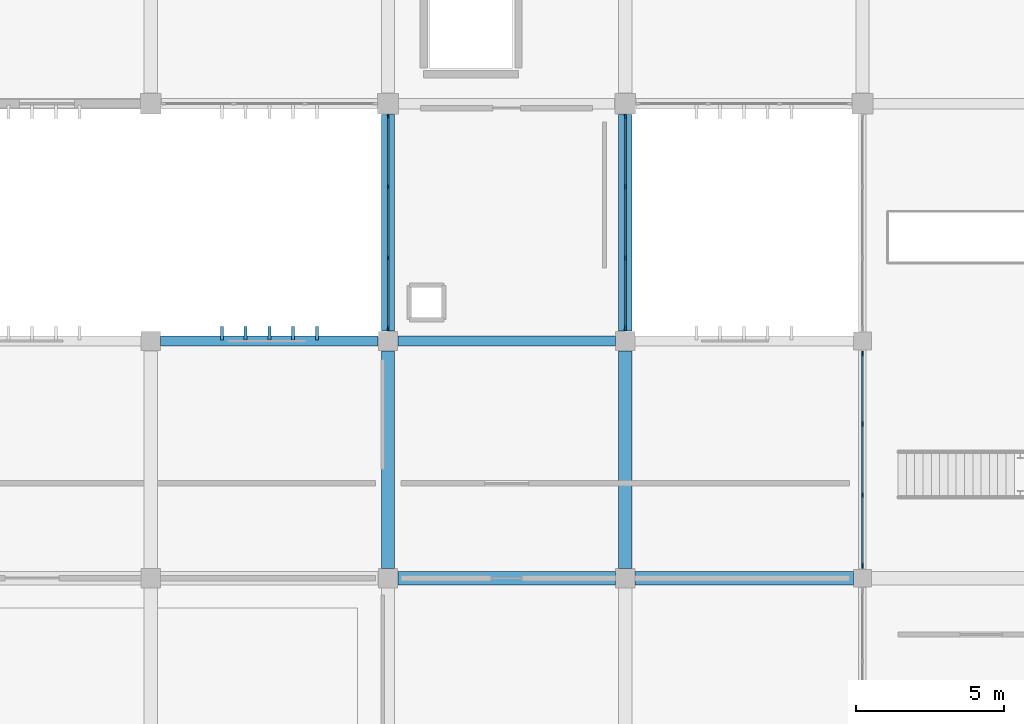
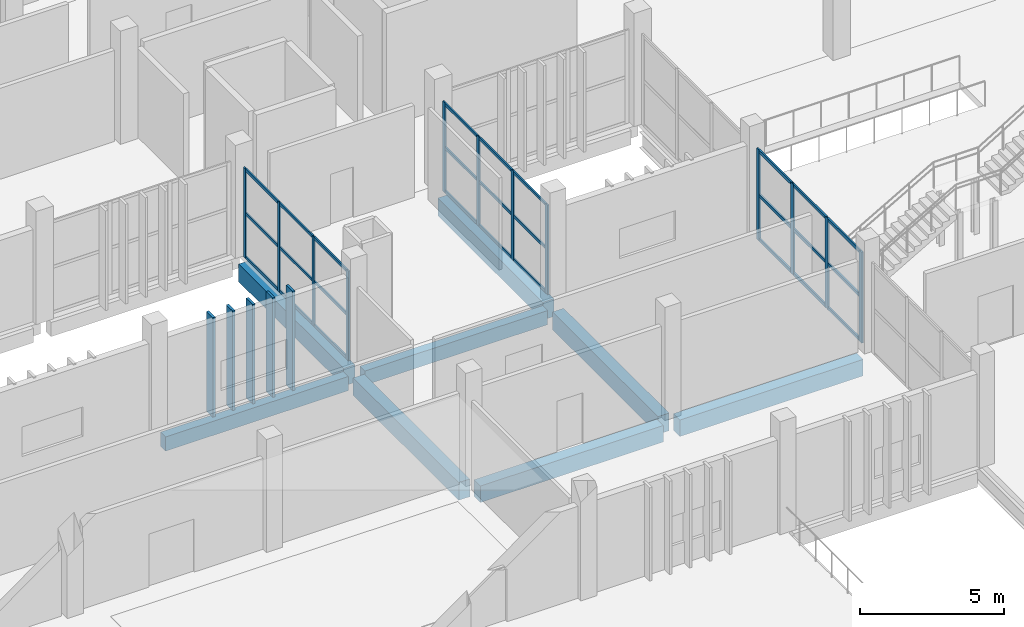
# One storey, part 49 of 106: 44 members, 8 beams, 3 elements without a shape of their own.
"""IFC4 building model written with IfcOpenShell, lengths in metres."""

import ifcopenshell
import ifcopenshell.guid

model = None  # the IFC model being written
_history = None  # IfcOwnerHistory: only IFC2X3 demands one
_inside = {}  # id of a spatial element -> (the spatial element, [elements in it])
_under = {}  # id of a project, library or spatial element -> (it, [spatial elements below it])
_declared = {}  # id of a project -> (the project, [libraries it declares])
_typed = {}  # id of a type object -> (the type object, [elements of that type])
_made_of = {}  # id of a material, layer set ... -> (it, [elements and type objects made of it])


def new_model(schema):
    """Start an empty IFC model of exactly this schema.

    Asked for "IFC4X3", IfcOpenShell would pick the latest addendum, in which some entities
    have other attributes; the version numbers below select the first issue.
    IFC2X3 requires an IfcOwnerHistory on every rooted entity: one is made here for all.
    """
    global model, _history
    if schema == "IFC4X3":
        model = ifcopenshell.file(schema_version=(4, 3, 0, 0))
    else:
        model = ifcopenshell.file(schema=schema)
    _inside.clear()
    _under.clear()
    _declared.clear()
    _typed.clear()
    _made_of.clear()
    _history = None
    if model.schema == "IFC2X3":
        org = make("IfcOrganization", Name="unknown")
        user = make(
            "IfcPersonAndOrganization",
            ThePerson=make("IfcPerson", FamilyName="unknown"),
            TheOrganization=org,
        )
        app = make(
            "IfcApplication",
            ApplicationDeveloper=org,
            Version="unknown",
            ApplicationFullName="unknown",
            ApplicationIdentifier="unknown",
        )
        _history = make(
            "IfcOwnerHistory",
            OwningUser=user,
            OwningApplication=app,
            ChangeAction="ADDED",
            CreationDate=0,
        )
    return model


def make(cls, **values):
    """One entity of the class cls with the attributes given. An attribute that is None is left unset."""
    return model.create_entity(
        cls, **{name: value for name, value in values.items() if value is not None}
    )


def rooted(cls, **values):
    """An entity with a GlobalId (a new one), such as an element, a storey or a relation."""
    return make(cls, GlobalId=ifcopenshell.guid.new(), OwnerHistory=_history, **values)


def si_unit(unit_type, name, prefix=None):
    """IfcSIUnit, for example si_unit("LENGTHUNIT", "METRE", prefix="MILLI")."""
    return make("IfcSIUnit", UnitType=unit_type, Prefix=prefix, Name=name)


def assignment(units):
    """IfcUnitAssignment: the units of a project."""
    return None if units is None else make("IfcUnitAssignment", Units=units)


def point(xyz):
    """IfcCartesianPoint."""
    return None if xyz is None else make("IfcCartesianPoint", Coordinates=xyz)


def direction(xyz):
    """IfcDirection."""
    return None if xyz is None else make("IfcDirection", DirectionRatios=xyz)


def frame(location, z_axis=None, x_axis=None):
    """IfcAxis2Placement3D, a coordinate frame: its origin and axes. An axis left out is left unset."""
    return make(
        "IfcAxis2Placement3D",
        Location=point(location),
        Axis=direction(z_axis),
        RefDirection=direction(x_axis),
    )


def frame_2d(location, x_axis=None):
    """IfcAxis2Placement2D, a coordinate frame in the plane: its origin and x axis."""
    return make(
        "IfcAxis2Placement2D", Location=point(location), RefDirection=direction(x_axis)
    )


def origin():
    """The frame at (0, 0, 0) with its axes left unset."""
    return frame((0.0, 0.0, 0.0))


def origin_2d():
    """The frame at (0, 0) in the plane with its x axis left unset."""
    return frame_2d((0.0, 0.0))


def place(relative_to, where):
    """IfcLocalPlacement: puts the frame where relative to a parent placement (None: the world)."""
    return make(
        "IfcLocalPlacement", PlacementRelTo=relative_to, RelativePlacement=where
    )


def context(
    kind, dimensions, precision=None, world=None, true_north=None, identifier=None
):
    """IfcGeometricRepresentationContext, for example the 3D "Model" context."""
    return make(
        "IfcGeometricRepresentationContext",
        ContextIdentifier=identifier,
        ContextType=kind,
        CoordinateSpaceDimension=dimensions,
        Precision=precision,
        WorldCoordinateSystem=world,
        TrueNorth=true_north,
    )


def subcontext(parent, identifier, kind, view, scale=None):
    """IfcGeometricRepresentationSubContext, for example "Body" below "Model"."""
    return make(
        "IfcGeometricRepresentationSubContext",
        ContextIdentifier=identifier,
        ContextType=kind,
        ParentContext=parent,
        TargetScale=scale,
        TargetView=view,
    )


def project(units=None, contexts=None):
    """IfcProject with its units and contexts."""
    return rooted(
        "IfcProject",
        Name="project",
        RepresentationContexts=contexts,
        UnitsInContext=assignment(units),
    )


def spatial(cls, under=None, at=None, **own):
    """A site, building, storey or space (cls), placed at a placement, below another one or the project."""
    s = rooted(cls, ObjectPlacement=at, **own)
    if under is not None:
        _under.setdefault(under.id(), (under, []))[1].append(s)
    return s


def profile(cls, at=None, kind="AREA", **sizes):
    """A parametric profile (cls). Its sizes go by their IFC names, for example OverallWidth=200.0."""
    return make(cls, ProfileType=kind, Position=at, **sizes)


def rectangle(**sizes):
    """IfcRectangleProfileDef."""
    return profile("IfcRectangleProfileDef", **sizes)


def extrude(swept, where, along, depth):
    """IfcExtrudedAreaSolid: the profile swept, set in the frame where, extruded along a direction by depth."""
    return make(
        "IfcExtrudedAreaSolid",
        SweptArea=swept,
        Position=where,
        ExtrudedDirection=direction(along),
        Depth=depth,
    )


def shape(context_of_items, identifier, shape_type, items):
    """IfcShapeRepresentation: the items that make up one representation, for example the "Body"."""
    return make(
        "IfcShapeRepresentation",
        ContextOfItems=context_of_items,
        RepresentationIdentifier=identifier,
        RepresentationType=shape_type,
        Items=items,
    )


def material(Name=None, Category=None):
    """IfcMaterial."""
    return make("IfcMaterial", Name=Name, Category=Category)


def layer(
    of_material, thickness, ventilated=None, Name=None, Category=None, Priority=None
):
    """IfcMaterialLayer: one layer of a wall or slab, of a material (None: an air gap)."""
    return make(
        "IfcMaterialLayer",
        Material=of_material,
        LayerThickness=thickness,
        IsVentilated=ventilated,
        Name=Name,
        Category=Category,
        Priority=Priority,
    )


def layer_set(layers, Name=None):
    """IfcMaterialLayerSet."""
    return make("IfcMaterialLayerSet", MaterialLayers=layers, LayerSetName=Name)


def material_profile(
    of_material, cross_section, Name=None, Category=None, Priority=None
):
    """IfcMaterialProfile: a cross section and its material."""
    return make(
        "IfcMaterialProfile",
        Name=Name,
        Material=of_material,
        Profile=cross_section,
        Priority=Priority,
        Category=Category,
    )


def profile_set(profiles, Name=None, composite=None):
    """IfcMaterialProfileSet."""
    return make(
        "IfcMaterialProfileSet",
        Name=Name,
        MaterialProfiles=profiles,
        CompositeProfile=composite,
    )


def made_of(thing, what):
    """Note that an element or type object is made of a material, layer set ...; save() writes the relation."""
    if what is not None:
        _made_of.setdefault(what.id(), (what, []))[1].append(thing)
    return thing


def type_object(cls, material=None, **own):
    """A type object (cls), such as IfcWallType, which elements share."""
    return made_of(rooted(cls, **own), material)


def element(
    cls,
    number,
    at=None,
    inside=None,
    cuts=None,
    type_object=None,
    material=None,
    context=None,
    identifier="Body",
    shape_type=None,
    held_by="IfcProductDefinitionShape",
    body=None,
    shapes=None,
    **own,
):
    """One element of the class cls, such as IfcWall. Its Tag is "e" and its number.

    at: its placement. inside: the storey or other place that contains it. cuts: it is an
    opening in that element (IfcRelVoidsElement). A single representation is given by context,
    identifier, shape_type and body (its items); several are given by shapes. held_by: the class
    of the entity that holds the representations. save() writes the other relations.
    """
    e = rooted(cls, Tag="e%d" % number, ObjectPlacement=at, **own)
    if body is not None:
        shapes = [shape(context, identifier, shape_type, body)]
    if shapes is not None:
        e.Representation = make(held_by, Representations=shapes)
    if inside is not None:
        _inside.setdefault(inside.id(), (inside, []))[1].append(e)
    if cuts is not None:
        rooted(
            "IfcRelVoidsElement", RelatingBuildingElement=cuts, RelatedOpeningElement=e
        )
    if type_object is not None:
        _typed.setdefault(type_object.id(), (type_object, []))[1].append(e)
    return made_of(e, material)


def aggregate(whole, parts):
    """IfcRelAggregates: a whole, such as a stair, and the parts it consists of."""
    return rooted("IfcRelAggregates", RelatingObject=whole, RelatedObjects=parts)


def save(model, path):
    """Write the relations noted so far, then the file.

    IfcRelAggregates (storeys below a building ...), IfcRelContainedInSpatialStructure (elements
    in a storey), IfcRelDefinesByType, IfcRelAssociatesMaterial and IfcRelDeclares: one each for
    every whole, place, type object, material and project.
    """
    for whole, parts in _under.values():
        aggregate(whole, parts)
    for where, things in _inside.values():
        rooted(
            "IfcRelContainedInSpatialStructure",
            RelatedElements=things,
            RelatingStructure=where,
        )
    for kind, things in _typed.values():
        rooted("IfcRelDefinesByType", RelatedObjects=things, RelatingType=kind)
    for what, things in _made_of.values():
        rooted("IfcRelAssociatesMaterial", RelatedObjects=things, RelatingMaterial=what)
    for by, libraries in _declared.values():
        rooted("IfcRelDeclares", RelatingContext=by, RelatedDefinitions=libraries)
    model.write(path)


model = new_model("IFC4")

# Units and contexts
model_context = context("Model", 3, precision=1e-05, world=origin(), true_north=direction((0.0, 1.0)))
body_context = subcontext(model_context, "Body", "Model", "MODEL_VIEW")
ifc_project = project(units=[si_unit("LENGTHUNIT", "METRE"), si_unit("AREAUNIT", "SQUARE_METRE"), si_unit("VOLUMEUNIT", "CUBIC_METRE"), si_unit("PLANEANGLEUNIT", "RADIAN"), si_unit("MASSUNIT", "GRAM", prefix="KILO")], contexts=[model_context])

# Site, building, storey
site_placement = place(None, origin())
site = spatial("IfcSite", under=ifc_project, at=site_placement, CompositionType="ELEMENT")
building_placement = place(site_placement, origin())
building = spatial("IfcBuilding", under=site, at=building_placement, Name="Jelvoka-Kovrelna Polytechnic", CompositionType="ELEMENT")
storey_placement = place(building_placement, frame((0.0, 0.0, 4.800048828125)))
storey = spatial("IfcBuildingStorey", under=building, at=storey_placement, Name="L02", CompositionType="ELEMENT", Elevation=4.800048828125)

# Beams
ifc_material_1 = material(Name="Concrete C40/50", Category="concrete")
ifc_material_profile_1 = material_profile(ifc_material_1, rectangle(XDim=0.449951171875, YDim=0.699951171875, at=origin_2d()), Name="RC 450x700")
ifc_profile_set_1 = profile_set([ifc_material_profile_1], Name="Concrete C40/50")
beam_type_1 = type_object("IfcBeamType", Name="Beam_RC_450x700", PredefinedType="BEAM", material=ifc_profile_set_1)
beam_1_placement = place(storey_placement, frame((144.330078125, 16.0, -0.614990234375), z_axis=(1.0, 0.0, 0.0), x_axis=(0.0, 1.0, 0.0)))
element("IfcBeam", 1, at=beam_1_placement, inside=storey, type_object=beam_type_1, Name="L02 beam 0660", PredefinedType="BEAM", context=body_context, shape_type="SweptSolid", body=[
    extrude(rectangle(XDim=0.449951171875, YDim=0.699951171875, at=origin_2d()), origin(), (0.0, 0.0, 1.0), 7.33984375),
])
beam_2_placement = place(storey_placement, frame((152.330078125, 16.0, -0.614990234375), z_axis=(1.0, 0.0, 0.0), x_axis=(0.0, 1.0, 0.0)))
element("IfcBeam", 2, at=beam_2_placement, inside=storey, type_object=beam_type_1, Name="L02 beam 0661", PredefinedType="BEAM", context=body_context, shape_type="SweptSolid", body=[
    extrude(rectangle(XDim=0.449951171875, YDim=0.699951171875, at=origin_2d()), origin(), (0.0, 0.0, 1.0), 7.364990234375),
])
ifc_material_2 = material(Name="Concrete C40/50", Category="concrete")
ifc_material_profile_2 = material_profile(ifc_material_2, rectangle(XDim=0.449951171875, YDim=0.75, at=origin_2d()), Name="RC 450x750")
ifc_profile_set_2 = profile_set([ifc_material_profile_2], Name="Concrete C40/50")
beam_type_2 = type_object("IfcBeamType", Name="Beam_RC_450x750", PredefinedType="BEAM", material=ifc_profile_set_2)
for number, where, z_axis, x_axis, name in (
    (3, (144.0, 16.330078125, -0.64013671875), (0.0, 1.0, 0.0), (-1.0, 0.0, 0.0), "L02 beam 0675"),
    (4, (152.0, 16.330078125, -0.64013671875), (0.0, 1.0, 0.0), (-1.0, 0.0, 0.0), "L02 beam 0677"),
):
    element("IfcBeam", number, at=place(storey_placement, frame(where, z_axis=z_axis, x_axis=x_axis)), inside=storey, type_object=beam_type_2, Name=name, PredefinedType="BEAM", context=body_context, shape_type="SweptSolid", body=[
        extrude(rectangle(XDim=0.449951171875, YDim=0.75, at=origin_2d()), origin(), (0.0, 0.0, 1.0), 7.33984375),
    ])
for number, where, z_axis, x_axis, name in (
    (5, (144.0, 24.330078125, -0.64013671875), (0.0, 1.0, 0.0), (-1.0, 0.0, 0.0), "L02 beam 0857"),
    (6, (152.0, 24.330078125, -0.64013671875), (0.0, 1.0, 0.0), (-1.0, 0.0, 0.0), "L02 beam 0858"),
):
    element("IfcBeam", number, at=place(storey_placement, frame(where, z_axis=z_axis, x_axis=x_axis)), inside=storey, type_object=beam_type_2, Name=name, PredefinedType="BEAM", context=body_context, shape_type="SweptSolid", body=[
        extrude(rectangle(XDim=0.449951171875, YDim=0.75, at=origin_2d()), origin(), (0.0, 0.0, 1.0), 7.31494140625),
    ])

# Members
ifc_material_3 = material(Name="Precast concrete C40/50", Category="concrete")
ifc_material_profile_3 = material_profile(ifc_material_3, rectangle(XDim=0.10009765625, YDim=0.449951171875, at=origin_2d()), Name="PC 100x450")
ifc_profile_set_3 = profile_set([ifc_material_profile_3], Name="Precast concrete C40/50")
member_type_1 = type_object("IfcMemberType", Name="Louvre_Fin_100x450", PredefinedType="USERDEFINED", material=ifc_profile_set_3)
for number, where, z_axis, x_axis, name in (
    (7, (138.39990234375, 24.264892578125, -0.27001953125), (0.0, 0.0, 1.0), (1.0, 0.0, 0.0), "L02 B1 north vertical solar louvre fin 0196"),
    (8, (139.199951171875, 24.264892578125, -0.27001953125), (0.0, 0.0, 1.0), (1.0, 0.0, 0.0), "L02 B1 north vertical solar louvre fin 0197"),
    (9, (140.0, 24.264892578125, -0.27001953125), (0.0, 0.0, 1.0), (1.0, 0.0, 0.0), "L02 B1 north vertical solar louvre fin 0198"),
    (10, (140.800048828125, 24.264892578125, -0.27001953125), (0.0, 0.0, 1.0), (1.0, 0.0, 0.0), "L02 B1 north vertical solar louvre fin 0199"),
    (11, (141.60009765625, 24.264892578125, -0.27001953125), (0.0, 0.0, 1.0), (1.0, 0.0, 0.0), "L02 B1 north vertical solar louvre fin 0200"),
):
    element("IfcMember", number, at=place(storey_placement, frame(where, z_axis=z_axis, x_axis=x_axis)), inside=storey, type_object=member_type_1, Name=name, ObjectType="SUNSHADE", PredefinedType="USERDEFINED", context=body_context, shape_type="SweptSolid", body=[
        extrude(rectangle(XDim=0.10009765625, YDim=0.449951171875, at=origin_2d()), origin(), (0.0, 0.0, 1.0), 4.22998046875),
    ])

# Curtain wall, members
ifc_material_4 = material(Name="Anodised aluminium 6063-T6", Category="aluminium")
ifc_layer_1 = layer(ifc_material_4, 0.159912109375)
ifc_layer_set_1 = layer_set([ifc_layer_1], Name="Anodised aluminium 6063-T6")
curtain_wall_type_1 = type_object("IfcCurtainWallType", Name="CW_LinkBridge", PredefinedType="NOTDEFINED", material=ifc_layer_set_1)
curtain_wall_1_placement = place(storey_placement, origin())
curtain_wall_1 = element("IfcCurtainWall", 12, at=curtain_wall_1_placement, inside=storey, type_object=curtain_wall_type_1, Name="L02 glazed curtain wall 116", PredefinedType="NOTDEFINED")
ifc_material_5 = material(Name="Anodised aluminium 6063-T6", Category="aluminium")
ifc_material_profile_4 = material_profile(ifc_material_5, rectangle(XDim=0.06005859375, YDim=0.159912109375, at=origin_2d()), Name="ALU 60x160")
ifc_profile_set_4 = profile_set([ifc_material_profile_4], Name="Anodised aluminium 6063-T6")
member_type_2 = type_object("IfcMemberType", Name="Mullion_M-04", PredefinedType="MULLION", material=ifc_profile_set_4)
member_1_placement = place(storey_placement, frame((144.0, 24.429931640625, -0.02490234375), z_axis=(0.0, 0.0, 1.0), x_axis=(-1.0, 0.0, 0.0)))
member_1 = element("IfcMember", 13, at=member_1_placement, type_object=member_type_2, Name="CW-04 mullion 1", PredefinedType="MULLION", context=body_context, shape_type="SweptSolid", body=[
    extrude(rectangle(XDim=0.06005859375, YDim=0.159912109375, at=origin_2d()), origin(), (0.0, 0.0, 1.0), 3.81005859375),
])
member_2_placement = place(storey_placement, frame((144.0, 26.800048828125, -0.02490234375), z_axis=(0.0, 0.0, 1.0), x_axis=(-1.0, 0.0, 0.0)))
member_2 = element("IfcMember", 14, at=member_2_placement, type_object=member_type_2, Name="CW-04 mullion 2", PredefinedType="MULLION", context=body_context, shape_type="SweptSolid", body=[
    extrude(rectangle(XDim=0.06005859375, YDim=0.159912109375, at=origin_2d()), origin(), (0.0, 0.0, 1.0), 3.81005859375),
])
member_3_placement = place(storey_placement, frame((144.0, 29.199951171875, -0.02490234375), z_axis=(0.0, 0.0, 1.0), x_axis=(-1.0, 0.0, 0.0)))
member_3 = element("IfcMember", 15, at=member_3_placement, type_object=member_type_2, Name="CW-04 mullion 3", PredefinedType="MULLION", context=body_context, shape_type="SweptSolid", body=[
    extrude(rectangle(XDim=0.06005859375, YDim=0.159912109375, at=origin_2d()), origin(), (0.0, 0.0, 1.0), 3.81005859375),
])
member_4_placement = place(storey_placement, frame((144.0, 31.570068359375, -0.02490234375), z_axis=(0.0, 0.0, 1.0), x_axis=(-1.0, 0.0, 0.0)))
member_4 = element("IfcMember", 16, at=member_4_placement, type_object=member_type_2, Name="CW-04 mullion 4", PredefinedType="MULLION", context=body_context, shape_type="SweptSolid", body=[
    extrude(rectangle(XDim=0.06005859375, YDim=0.159912109375, at=origin_2d()), origin(), (0.0, 0.0, 1.0), 3.81005859375),
])

curtain_wall_2_placement = place(storey_placement, origin())
curtain_wall_2 = element("IfcCurtainWall", 17, at=curtain_wall_2_placement, inside=storey, type_object=curtain_wall_type_1, Name="L02 glazed curtain wall 117", PredefinedType="NOTDEFINED")
member_5_placement = place(storey_placement, frame((152.0, 31.570068359375, -0.02490234375), z_axis=(0.0, 0.0, 1.0), x_axis=(1.0, 0.0, 0.0)))
member_5 = element("IfcMember", 18, at=member_5_placement, type_object=member_type_2, Name="CW-04 mullion 1", PredefinedType="MULLION", context=body_context, shape_type="SweptSolid", body=[
    extrude(rectangle(XDim=0.06005859375, YDim=0.159912109375, at=origin_2d()), origin(), (0.0, 0.0, 1.0), 3.81005859375),
])
member_6_placement = place(storey_placement, frame((152.0, 29.199951171875, -0.02490234375), z_axis=(0.0, 0.0, 1.0), x_axis=(1.0, 0.0, 0.0)))
member_6 = element("IfcMember", 19, at=member_6_placement, type_object=member_type_2, Name="CW-04 mullion 2", PredefinedType="MULLION", context=body_context, shape_type="SweptSolid", body=[
    extrude(rectangle(XDim=0.06005859375, YDim=0.159912109375, at=origin_2d()), origin(), (0.0, 0.0, 1.0), 3.81005859375),
])
member_7_placement = place(storey_placement, frame((152.0, 26.800048828125, -0.02490234375), z_axis=(0.0, 0.0, 1.0), x_axis=(1.0, 0.0, 0.0)))
member_7 = element("IfcMember", 20, at=member_7_placement, type_object=member_type_2, Name="CW-04 mullion 3", PredefinedType="MULLION", context=body_context, shape_type="SweptSolid", body=[
    extrude(rectangle(XDim=0.06005859375, YDim=0.159912109375, at=origin_2d()), origin(), (0.0, 0.0, 1.0), 3.81005859375),
])
member_8_placement = place(storey_placement, frame((152.0, 24.429931640625, -0.02490234375), z_axis=(0.0, 0.0, 1.0), x_axis=(1.0, 0.0, 0.0)))
member_8 = element("IfcMember", 21, at=member_8_placement, type_object=member_type_2, Name="CW-04 mullion 4", PredefinedType="MULLION", context=body_context, shape_type="SweptSolid", body=[
    extrude(rectangle(XDim=0.06005859375, YDim=0.159912109375, at=origin_2d()), origin(), (0.0, 0.0, 1.0), 3.81005859375),
])

ifc_material_6 = material(Name="Anodised aluminium 6063-T6", Category="aluminium")
ifc_layer_2 = layer(ifc_material_6, 0.179931640625)
ifc_layer_set_2 = layer_set([ifc_layer_2], Name="Anodised aluminium 6063-T6")
curtain_wall_type_2 = type_object("IfcCurtainWallType", Name="CW_Pavilion", PredefinedType="NOTDEFINED", material=ifc_layer_set_2)
curtain_wall_3_placement = place(storey_placement, origin())
curtain_wall_3 = element("IfcCurtainWall", 22, at=curtain_wall_3_placement, inside=storey, type_object=curtain_wall_type_2, Name="L02 glazed curtain wall 284", PredefinedType="NOTDEFINED")
ifc_material_7 = material(Name="Anodised aluminium 6063-T6", Category="aluminium")
ifc_material_profile_5 = material_profile(ifc_material_7, rectangle(XDim=0.06494140625, YDim=0.179931640625, at=origin_2d()), Name="ALU 65x180")
ifc_profile_set_5 = profile_set([ifc_material_profile_5], Name="Anodised aluminium 6063-T6")
member_type_3 = type_object("IfcMemberType", Name="Mullion_M-05", PredefinedType="MULLION", material=ifc_profile_set_5)
member_9_placement = place(storey_placement, frame((160.0, 16.4326171875, -0.02490234375), z_axis=(0.0, 0.0, 1.0), x_axis=(-1.0, 0.0, 0.0)))
member_9 = element("IfcMember", 23, at=member_9_placement, type_object=member_type_3, Name="CW-05 mullion 1", PredefinedType="MULLION", context=body_context, shape_type="SweptSolid", body=[
    extrude(rectangle(XDim=0.06494140625, YDim=0.179931640625, at=origin_2d()), origin(), (0.0, 0.0, 1.0), 3.862060546875),
])
member_10_placement = place(storey_placement, frame((160.0, 18.800048828125, -0.02490234375), z_axis=(0.0, 0.0, 1.0), x_axis=(-1.0, 0.0, 0.0)))
member_10 = element("IfcMember", 24, at=member_10_placement, type_object=member_type_3, Name="CW-05 mullion 2", PredefinedType="MULLION", context=body_context, shape_type="SweptSolid", body=[
    extrude(rectangle(XDim=0.06494140625, YDim=0.179931640625, at=origin_2d()), origin(), (0.0, 0.0, 1.0), 3.862060546875),
])
member_11_placement = place(storey_placement, frame((160.0, 21.199951171875, -0.02490234375), z_axis=(0.0, 0.0, 1.0), x_axis=(-1.0, 0.0, 0.0)))
member_11 = element("IfcMember", 25, at=member_11_placement, type_object=member_type_3, Name="CW-05 mullion 3", PredefinedType="MULLION", context=body_context, shape_type="SweptSolid", body=[
    extrude(rectangle(XDim=0.06494140625, YDim=0.179931640625, at=origin_2d()), origin(), (0.0, 0.0, 1.0), 3.862060546875),
])
member_12_placement = place(storey_placement, frame((160.0, 23.5673828125, -0.02490234375), z_axis=(0.0, 0.0, 1.0), x_axis=(-1.0, 0.0, 0.0)))
member_12 = element("IfcMember", 26, at=member_12_placement, type_object=member_type_3, Name="CW-05 mullion 4", PredefinedType="MULLION", context=body_context, shape_type="SweptSolid", body=[
    extrude(rectangle(XDim=0.06494140625, YDim=0.179931640625, at=origin_2d()), origin(), (0.0, 0.0, 1.0), 3.862060546875),
])

# Beams
ifc_material_8 = material(Name="Concrete C40/50", Category="concrete")
ifc_material_profile_6 = material_profile(ifc_material_8, rectangle(XDim=0.35009765625, YDim=0.60009765625, at=origin_2d()), Name="RC 350x600")
ifc_profile_set_6 = profile_set([ifc_material_profile_6], Name="Concrete C40/50")
beam_type_3 = type_object("IfcBeamType", Name="Spandrel_RC_350x600", PredefinedType="SPANDREL", material=ifc_profile_set_6)
for number, where, z_axis, x_axis, name in (
    (27, (136.330078125, 24.0, -0.56494140625), (1.0, 0.0, 0.0), (0.0, 1.0, 0.0), "L02 beam 0665"),
    (28, (144.330078125, 24.0, -0.56494140625), (1.0, 0.0, 0.0), (0.0, 1.0, 0.0), "L02 beam 0666"),
):
    element("IfcBeam", number, at=place(storey_placement, frame(where, z_axis=z_axis, x_axis=x_axis)), inside=storey, type_object=beam_type_3, Name=name, PredefinedType="SPANDREL", context=body_context, shape_type="SweptSolid", body=[
        extrude(rectangle(XDim=0.35009765625, YDim=0.60009765625, at=origin_2d()), origin(), (0.0, 0.0, 1.0), 7.33984375),
    ])

# Member
ifc_material_9 = material(Name="Anodised aluminium 6063-T6", Category="aluminium")
ifc_material_profile_7 = material_profile(ifc_material_9, rectangle(XDim=0.06005859375, YDim=0.1201171875, at=origin_2d()), Name="ALU 60x120")
ifc_profile_set_7 = profile_set([ifc_material_profile_7], Name="Anodised aluminium 6063-T6")
member_type_4 = type_object("IfcMemberType", Name="Transom_T-04", PredefinedType="USERDEFINED", material=ifc_profile_set_7)
member_13_placement = place(storey_placement, frame((144.0, 24.4599609375, 0.030029296875), z_axis=(0.0, 1.0, 0.0), x_axis=(-1.0, 0.0, 0.0)))
member_13 = element("IfcMember", 29, at=member_13_placement, type_object=member_type_4, Name="CW-04 transom 1.1", ObjectType="TRANSOM", PredefinedType="USERDEFINED", context=body_context, shape_type="SweptSolid", body=[
    extrude(rectangle(XDim=0.06005859375, YDim=0.1201171875, at=origin_2d()), origin(), (0.0, 0.0, 1.0), 2.31005859375),
])

member_14_placement = place(storey_placement, frame((144.0, 24.4599609375, 1.8798828125), z_axis=(0.0, 1.0, 0.0), x_axis=(-1.0, 0.0, 0.0)))
member_14 = element("IfcMember", 30, at=member_14_placement, type_object=member_type_4, Name="CW-04 transom 1.2", ObjectType="TRANSOM", PredefinedType="USERDEFINED", context=body_context, shape_type="SweptSolid", body=[
    extrude(rectangle(XDim=0.06005859375, YDim=0.1201171875, at=origin_2d()), origin(), (0.0, 0.0, 1.0), 2.31005859375),
])

member_15_placement = place(storey_placement, frame((144.0, 24.4599609375, 3.72998046875), z_axis=(0.0, 1.0, 0.0), x_axis=(-1.0, 0.0, 0.0)))
member_15 = element("IfcMember", 31, at=member_15_placement, type_object=member_type_4, Name="CW-04 transom 1.3", ObjectType="TRANSOM", PredefinedType="USERDEFINED", context=body_context, shape_type="SweptSolid", body=[
    extrude(rectangle(XDim=0.06005859375, YDim=0.1201171875, at=origin_2d()), origin(), (0.0, 0.0, 1.0), 2.31005859375),
])

member_16_placement = place(storey_placement, frame((144.0, 26.830078125, 0.030029296875), z_axis=(0.0, 1.0, 0.0), x_axis=(-1.0, 0.0, 0.0)))
member_16 = element("IfcMember", 32, at=member_16_placement, type_object=member_type_4, Name="CW-04 transom 2.1", ObjectType="TRANSOM", PredefinedType="USERDEFINED", context=body_context, shape_type="SweptSolid", body=[
    extrude(rectangle(XDim=0.06005859375, YDim=0.1201171875, at=origin_2d()), origin(), (0.0, 0.0, 1.0), 2.33984375),
])

member_17_placement = place(storey_placement, frame((144.0, 26.830078125, 1.8798828125), z_axis=(0.0, 1.0, 0.0), x_axis=(-1.0, 0.0, 0.0)))
member_17 = element("IfcMember", 33, at=member_17_placement, type_object=member_type_4, Name="CW-04 transom 2.2", ObjectType="TRANSOM", PredefinedType="USERDEFINED", context=body_context, shape_type="SweptSolid", body=[
    extrude(rectangle(XDim=0.06005859375, YDim=0.1201171875, at=origin_2d()), origin(), (0.0, 0.0, 1.0), 2.33984375),
])

member_18_placement = place(storey_placement, frame((144.0, 26.830078125, 3.72998046875), z_axis=(0.0, 1.0, 0.0), x_axis=(-1.0, 0.0, 0.0)))
member_18 = element("IfcMember", 34, at=member_18_placement, type_object=member_type_4, Name="CW-04 transom 2.3", ObjectType="TRANSOM", PredefinedType="USERDEFINED", context=body_context, shape_type="SweptSolid", body=[
    extrude(rectangle(XDim=0.06005859375, YDim=0.1201171875, at=origin_2d()), origin(), (0.0, 0.0, 1.0), 2.33984375),
])

member_19_placement = place(storey_placement, frame((144.0, 29.22998046875, 0.030029296875), z_axis=(0.0, 1.0, 0.0), x_axis=(-1.0, 0.0, 0.0)))
member_19 = element("IfcMember", 35, at=member_19_placement, type_object=member_type_4, Name="CW-04 transom 3.1", ObjectType="TRANSOM", PredefinedType="USERDEFINED", context=body_context, shape_type="SweptSolid", body=[
    extrude(rectangle(XDim=0.06005859375, YDim=0.1201171875, at=origin_2d()), origin(), (0.0, 0.0, 1.0), 2.31005859375),
])

member_20_placement = place(storey_placement, frame((144.0, 29.22998046875, 1.8798828125), z_axis=(0.0, 1.0, 0.0), x_axis=(-1.0, 0.0, 0.0)))
member_20 = element("IfcMember", 36, at=member_20_placement, type_object=member_type_4, Name="CW-04 transom 3.2", ObjectType="TRANSOM", PredefinedType="USERDEFINED", context=body_context, shape_type="SweptSolid", body=[
    extrude(rectangle(XDim=0.06005859375, YDim=0.1201171875, at=origin_2d()), origin(), (0.0, 0.0, 1.0), 2.31005859375),
])

member_21_placement = place(storey_placement, frame((144.0, 29.22998046875, 3.72998046875), z_axis=(0.0, 1.0, 0.0), x_axis=(-1.0, 0.0, 0.0)))
member_21 = element("IfcMember", 37, at=member_21_placement, type_object=member_type_4, Name="CW-04 transom 3.3", ObjectType="TRANSOM", PredefinedType="USERDEFINED", context=body_context, shape_type="SweptSolid", body=[
    extrude(rectangle(XDim=0.06005859375, YDim=0.1201171875, at=origin_2d()), origin(), (0.0, 0.0, 1.0), 2.31005859375),
])

aggregate(curtain_wall_1, [member_1, member_2, member_3, member_4, member_13, member_14, member_15, member_16, member_17, member_18, member_19, member_20, member_21])

member_22_placement = place(storey_placement, frame((152.0, 31.5400390625, 0.030029296875), z_axis=(0.0, -1.0, 0.0), x_axis=(1.0, 0.0, 0.0)))
member_22 = element("IfcMember", 38, at=member_22_placement, type_object=member_type_4, Name="CW-04 transom 1.1", ObjectType="TRANSOM", PredefinedType="USERDEFINED", context=body_context, shape_type="SweptSolid", body=[
    extrude(rectangle(XDim=0.06005859375, YDim=0.1201171875, at=origin_2d()), origin(), (0.0, 0.0, 1.0), 2.31005859375),
])

member_23_placement = place(storey_placement, frame((152.0, 31.5400390625, 1.8798828125), z_axis=(0.0, -1.0, 0.0), x_axis=(1.0, 0.0, 0.0)))
member_23 = element("IfcMember", 39, at=member_23_placement, type_object=member_type_4, Name="CW-04 transom 1.2", ObjectType="TRANSOM", PredefinedType="USERDEFINED", context=body_context, shape_type="SweptSolid", body=[
    extrude(rectangle(XDim=0.06005859375, YDim=0.1201171875, at=origin_2d()), origin(), (0.0, 0.0, 1.0), 2.31005859375),
])

member_24_placement = place(storey_placement, frame((152.0, 31.5400390625, 3.72998046875), z_axis=(0.0, -1.0, 0.0), x_axis=(1.0, 0.0, 0.0)))
member_24 = element("IfcMember", 40, at=member_24_placement, type_object=member_type_4, Name="CW-04 transom 1.3", ObjectType="TRANSOM", PredefinedType="USERDEFINED", context=body_context, shape_type="SweptSolid", body=[
    extrude(rectangle(XDim=0.06005859375, YDim=0.1201171875, at=origin_2d()), origin(), (0.0, 0.0, 1.0), 2.31005859375),
])

member_25_placement = place(storey_placement, frame((152.0, 29.169921875, 0.030029296875), z_axis=(0.0, -1.0, 0.0), x_axis=(1.0, 0.0, 0.0)))
member_25 = element("IfcMember", 41, at=member_25_placement, type_object=member_type_4, Name="CW-04 transom 2.1", ObjectType="TRANSOM", PredefinedType="USERDEFINED", context=body_context, shape_type="SweptSolid", body=[
    extrude(rectangle(XDim=0.06005859375, YDim=0.1201171875, at=origin_2d()), origin(), (0.0, 0.0, 1.0), 2.33984375),
])

member_26_placement = place(storey_placement, frame((152.0, 29.169921875, 1.8798828125), z_axis=(0.0, -1.0, 0.0), x_axis=(1.0, 0.0, 0.0)))
member_26 = element("IfcMember", 42, at=member_26_placement, type_object=member_type_4, Name="CW-04 transom 2.2", ObjectType="TRANSOM", PredefinedType="USERDEFINED", context=body_context, shape_type="SweptSolid", body=[
    extrude(rectangle(XDim=0.06005859375, YDim=0.1201171875, at=origin_2d()), origin(), (0.0, 0.0, 1.0), 2.33984375),
])

member_27_placement = place(storey_placement, frame((152.0, 29.169921875, 3.72998046875), z_axis=(0.0, -1.0, 0.0), x_axis=(1.0, 0.0, 0.0)))
member_27 = element("IfcMember", 43, at=member_27_placement, type_object=member_type_4, Name="CW-04 transom 2.3", ObjectType="TRANSOM", PredefinedType="USERDEFINED", context=body_context, shape_type="SweptSolid", body=[
    extrude(rectangle(XDim=0.06005859375, YDim=0.1201171875, at=origin_2d()), origin(), (0.0, 0.0, 1.0), 2.33984375),
])

member_28_placement = place(storey_placement, frame((152.0, 26.77001953125, 0.030029296875), z_axis=(0.0, -1.0, 0.0), x_axis=(1.0, 0.0, 0.0)))
member_28 = element("IfcMember", 44, at=member_28_placement, type_object=member_type_4, Name="CW-04 transom 3.1", ObjectType="TRANSOM", PredefinedType="USERDEFINED", context=body_context, shape_type="SweptSolid", body=[
    extrude(rectangle(XDim=0.06005859375, YDim=0.1201171875, at=origin_2d()), origin(), (0.0, 0.0, 1.0), 2.31005859375),
])

member_29_placement = place(storey_placement, frame((152.0, 26.77001953125, 1.8798828125), z_axis=(0.0, -1.0, 0.0), x_axis=(1.0, 0.0, 0.0)))
member_29 = element("IfcMember", 45, at=member_29_placement, type_object=member_type_4, Name="CW-04 transom 3.2", ObjectType="TRANSOM", PredefinedType="USERDEFINED", context=body_context, shape_type="SweptSolid", body=[
    extrude(rectangle(XDim=0.06005859375, YDim=0.1201171875, at=origin_2d()), origin(), (0.0, 0.0, 1.0), 2.31005859375),
])

member_30_placement = place(storey_placement, frame((152.0, 26.77001953125, 3.72998046875), z_axis=(0.0, -1.0, 0.0), x_axis=(1.0, 0.0, 0.0)))
member_30 = element("IfcMember", 46, at=member_30_placement, type_object=member_type_4, Name="CW-04 transom 3.3", ObjectType="TRANSOM", PredefinedType="USERDEFINED", context=body_context, shape_type="SweptSolid", body=[
    extrude(rectangle(XDim=0.06005859375, YDim=0.1201171875, at=origin_2d()), origin(), (0.0, 0.0, 1.0), 2.31005859375),
])

aggregate(curtain_wall_2, [member_5, member_6, member_7, member_8, member_22, member_23, member_24, member_25, member_26, member_27, member_28, member_29, member_30])

ifc_material_10 = material(Name="Anodised aluminium 6063-T6", Category="aluminium")
ifc_material_profile_8 = material_profile(ifc_material_10, rectangle(XDim=0.06494140625, YDim=0.135009765625, at=origin_2d()), Name="ALU 65x135")
ifc_profile_set_8 = profile_set([ifc_material_profile_8], Name="Anodised aluminium 6063-T6")
member_type_5 = type_object("IfcMemberType", Name="Transom_T-05", PredefinedType="USERDEFINED", material=ifc_profile_set_8)
member_31_placement = place(storey_placement, frame((160.0, 16.465087890625, 0.032470703125), z_axis=(0.0, 1.0, 0.0), x_axis=(-1.0, 0.0, 0.0)))
member_31 = element("IfcMember", 47, at=member_31_placement, type_object=member_type_5, Name="CW-05 transom 1.1", ObjectType="TRANSOM", PredefinedType="USERDEFINED", context=body_context, shape_type="SweptSolid", body=[
    extrude(rectangle(XDim=0.06494140625, YDim=0.135009765625, at=origin_2d()), origin(), (0.0, 0.0, 1.0), 2.302490234375),
])

member_32_placement = place(storey_placement, frame((160.0, 16.465087890625, 1.906005859375), z_axis=(0.0, 1.0, 0.0), x_axis=(-1.0, 0.0, 0.0)))
member_32 = element("IfcMember", 48, at=member_32_placement, type_object=member_type_5, Name="CW-05 transom 1.2", ObjectType="TRANSOM", PredefinedType="USERDEFINED", context=body_context, shape_type="SweptSolid", body=[
    extrude(rectangle(XDim=0.06494140625, YDim=0.135009765625, at=origin_2d()), origin(), (0.0, 0.0, 1.0), 2.302490234375),
])

member_33_placement = place(storey_placement, frame((160.0, 16.465087890625, 3.779541015625), z_axis=(0.0, 1.0, 0.0), x_axis=(-1.0, 0.0, 0.0)))
member_33 = element("IfcMember", 49, at=member_33_placement, type_object=member_type_5, Name="CW-05 transom 1.3", ObjectType="TRANSOM", PredefinedType="USERDEFINED", context=body_context, shape_type="SweptSolid", body=[
    extrude(rectangle(XDim=0.06494140625, YDim=0.135009765625, at=origin_2d()), origin(), (0.0, 0.0, 1.0), 2.302490234375),
])

member_34_placement = place(storey_placement, frame((160.0, 18.83251953125, 0.032470703125), z_axis=(0.0, 1.0, 0.0), x_axis=(-1.0, 0.0, 0.0)))
member_34 = element("IfcMember", 50, at=member_34_placement, type_object=member_type_5, Name="CW-05 transom 2.1", ObjectType="TRANSOM", PredefinedType="USERDEFINED", context=body_context, shape_type="SweptSolid", body=[
    extrude(rectangle(XDim=0.06494140625, YDim=0.135009765625, at=origin_2d()), origin(), (0.0, 0.0, 1.0), 2.3349609375),
])

member_35_placement = place(storey_placement, frame((160.0, 18.83251953125, 1.906005859375), z_axis=(0.0, 1.0, 0.0), x_axis=(-1.0, 0.0, 0.0)))
member_35 = element("IfcMember", 51, at=member_35_placement, type_object=member_type_5, Name="CW-05 transom 2.2", ObjectType="TRANSOM", PredefinedType="USERDEFINED", context=body_context, shape_type="SweptSolid", body=[
    extrude(rectangle(XDim=0.06494140625, YDim=0.135009765625, at=origin_2d()), origin(), (0.0, 0.0, 1.0), 2.3349609375),
])

member_36_placement = place(storey_placement, frame((160.0, 18.83251953125, 3.779541015625), z_axis=(0.0, 1.0, 0.0), x_axis=(-1.0, 0.0, 0.0)))
member_36 = element("IfcMember", 52, at=member_36_placement, type_object=member_type_5, Name="CW-05 transom 2.3", ObjectType="TRANSOM", PredefinedType="USERDEFINED", context=body_context, shape_type="SweptSolid", body=[
    extrude(rectangle(XDim=0.06494140625, YDim=0.135009765625, at=origin_2d()), origin(), (0.0, 0.0, 1.0), 2.3349609375),
])

member_37_placement = place(storey_placement, frame((160.0, 21.232421875, 0.032470703125), z_axis=(0.0, 1.0, 0.0), x_axis=(-1.0, 0.0, 0.0)))
member_37 = element("IfcMember", 53, at=member_37_placement, type_object=member_type_5, Name="CW-05 transom 3.1", ObjectType="TRANSOM", PredefinedType="USERDEFINED", context=body_context, shape_type="SweptSolid", body=[
    extrude(rectangle(XDim=0.06494140625, YDim=0.135009765625, at=origin_2d()), origin(), (0.0, 0.0, 1.0), 2.302490234375),
])

member_38_placement = place(storey_placement, frame((160.0, 21.232421875, 1.906005859375), z_axis=(0.0, 1.0, 0.0), x_axis=(-1.0, 0.0, 0.0)))
member_38 = element("IfcMember", 54, at=member_38_placement, type_object=member_type_5, Name="CW-05 transom 3.2", ObjectType="TRANSOM", PredefinedType="USERDEFINED", context=body_context, shape_type="SweptSolid", body=[
    extrude(rectangle(XDim=0.06494140625, YDim=0.135009765625, at=origin_2d()), origin(), (0.0, 0.0, 1.0), 2.302490234375),
])

member_39_placement = place(storey_placement, frame((160.0, 21.232421875, 3.779541015625), z_axis=(0.0, 1.0, 0.0), x_axis=(-1.0, 0.0, 0.0)))
member_39 = element("IfcMember", 55, at=member_39_placement, type_object=member_type_5, Name="CW-05 transom 3.3", ObjectType="TRANSOM", PredefinedType="USERDEFINED", context=body_context, shape_type="SweptSolid", body=[
    extrude(rectangle(XDim=0.06494140625, YDim=0.135009765625, at=origin_2d()), origin(), (0.0, 0.0, 1.0), 2.302490234375),
])

aggregate(curtain_wall_3, [member_9, member_10, member_11, member_12, member_31, member_32, member_33, member_34, member_35, member_36, member_37, member_38, member_39])

save(model, "model.ifc")
